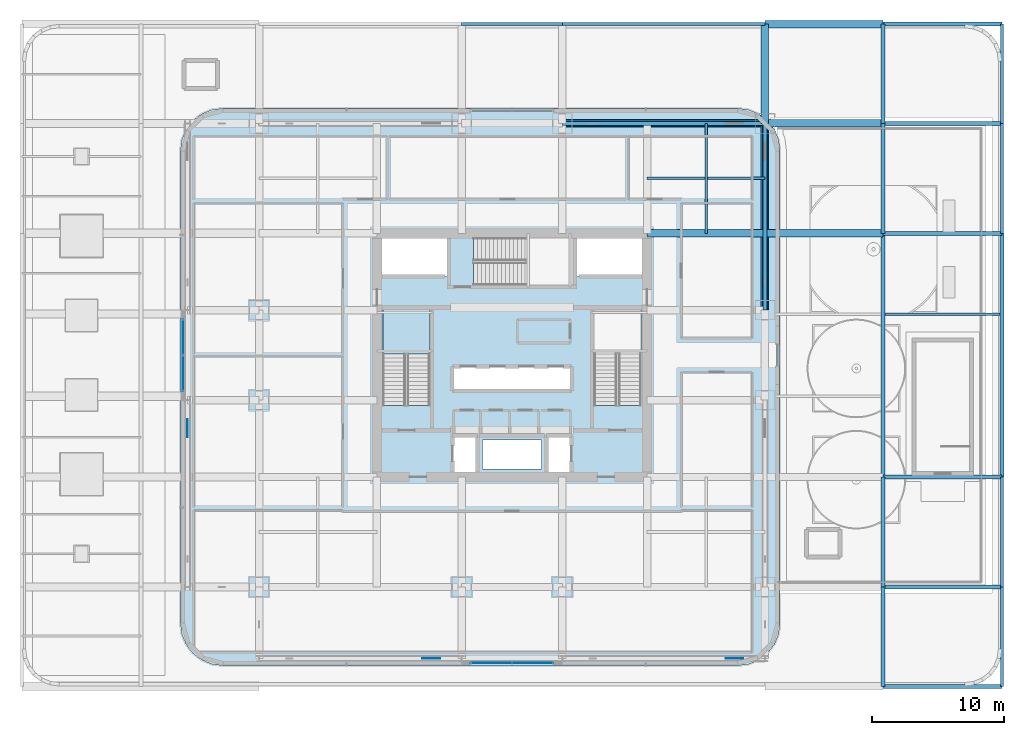
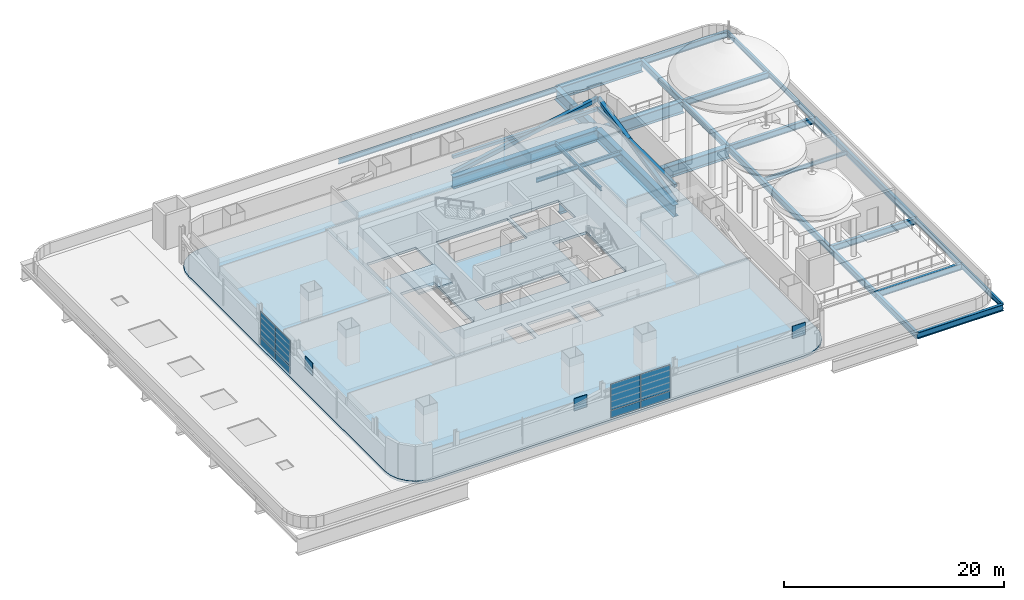
# One storey, part 9 of 30: 28 beams, 11 plates, 4 members, 2 slabs, 3 elements without a shape of their own.
"""IFC4 building model written with IfcOpenShell, lengths in metres."""

from ifc_helpers import new_model, si_unit, direction, frame, origin, origin_2d, place, context, subcontext, project, spatial, polyline, rectangle, hollow_rectangle, i_section, outline, extrude, material, layer, layer_set, material_profile, profile_set, type_object, element, aggregate, save


model = new_model("IFC4")

# Units and contexts
model_context = context("Model", 3, precision=1e-05, world=origin(), true_north=direction((0.0, 1.0)))
body_context = subcontext(model_context, "Body", "Model", "MODEL_VIEW")
ifc_project = project(units=[si_unit("LENGTHUNIT", "METRE"), si_unit("AREAUNIT", "SQUARE_METRE"), si_unit("VOLUMEUNIT", "CUBIC_METRE"), si_unit("PLANEANGLEUNIT", "RADIAN"), si_unit("MASSUNIT", "GRAM", prefix="KILO")], contexts=[model_context])

# Site, building, storey
site_placement = place(None, origin())
site = spatial("IfcSite", under=ifc_project, at=site_placement, CompositionType="ELEMENT")
building_placement = place(site_placement, origin())
building = spatial("IfcBuilding", under=site, at=building_placement, Name="Punatoya Terracotta Tower", CompositionType="ELEMENT")
storey_placement = place(building_placement, frame((0.0, 0.0, 28.199951171875)))
storey = spatial("IfcBuildingStorey", under=building, at=storey_placement, Name="L05", CompositionType="ELEMENT", Elevation=28.199951171875)

# Beams
ifc_material_1 = material(Name="Steel S355", Category="steel")
ifc_material_profile_1 = material_profile(ifc_material_1, i_section(OverallWidth=0.300048828125, OverallDepth=0.699951171875, WebThickness=0.01708984375, FlangeThickness=0.031982421875, FilletRadius=0.01806640625, at=origin_2d()))
ifc_profile_set_1 = profile_set([ifc_material_profile_1], Name="Steel S355")
beam_type_1 = type_object("IfcBeamType", Name="BM-PRI-700", PredefinedType="BEAM", material=ifc_profile_set_1)
for number, where, z_axis, x_axis, name in (
    (1, (28.0, -25.0, -0.6298828125), (1.0, 0.0, 0.0), (0.0, 1.0, 0.0), "BM-L05-AE2"),
    (2, (28.0, -17.5, -0.6298828125), (1.0, 0.0, 0.0), (0.0, 1.0, 0.0), "BM-L05-BE2"),
    (3, (28.0, -9.199951171875, -0.6298828125), (1.0, 0.0, 0.0), (0.0, 1.0, 0.0), "BM-L05-CE2"),
    (4, (28.0, 9.199951171875, -0.6298828125), (1.0, 0.0, 0.0), (0.0, 1.0, 0.0), "BM-L05-FE2"),
    (5, (28.0, 17.5, -0.6298828125), (1.0, 0.0, 0.0), (0.0, 1.0, 0.0), "BM-L05-GE2"),
    (6, (28.0, 25.0, -0.6298828125), (1.0, 0.0, 0.0), (0.0, 1.0, 0.0), "BM-L05-HE2"),
):
    element("IfcBeam", number, at=place(storey_placement, frame(where, z_axis=z_axis, x_axis=x_axis)), inside=storey, type_object=beam_type_1, Name=name, PredefinedType="BEAM", context=body_context, shape_type="SweptSolid", body=[
        extrude(i_section(OverallWidth=0.300048828125, OverallDepth=0.699951171875, WebThickness=0.01708984375, FlangeThickness=0.031982421875, FilletRadius=0.01806640625, at=origin_2d()), origin(), (0.0, 0.0, 1.0), 9.0),
    ])
beam_1_placement = place(storey_placement, frame((28.0, -25.0, -0.6298828125), z_axis=(0.0, 1.0, 0.0), x_axis=(-1.0, 0.0, 0.0)))
element("IfcBeam", 7, at=beam_1_placement, inside=storey, type_object=beam_type_1, Name="BM-L05-X28E--25", PredefinedType="BEAM", context=body_context, shape_type="SweptSolid", body=[
    extrude(i_section(OverallWidth=0.300048828125, OverallDepth=0.699951171875, WebThickness=0.01708984375, FlangeThickness=0.031982421875, FilletRadius=0.01806640625, at=origin_2d()), origin(), (0.0, 0.0, 1.0), 7.5),
])
beam_2_placement = place(storey_placement, frame((28.0, -17.5, -0.6298828125), z_axis=(0.0, 1.0, 0.0), x_axis=(-1.0, 0.0, 0.0)))
element("IfcBeam", 8, at=beam_2_placement, inside=storey, type_object=beam_type_1, Name="BM-L05-X28E--17", PredefinedType="BEAM", context=body_context, shape_type="SweptSolid", body=[
    extrude(i_section(OverallWidth=0.300048828125, OverallDepth=0.699951171875, WebThickness=0.01708984375, FlangeThickness=0.031982421875, FilletRadius=0.01806640625, at=origin_2d()), origin(), (0.0, 0.0, 1.0), 8.300048828125),
])
beam_3_placement = place(storey_placement, frame((28.0, -9.199951171875, -0.6298828125), z_axis=(0.0, 1.0, 0.0), x_axis=(-1.0, 0.0, 0.0)))
element("IfcBeam", 9, at=beam_3_placement, inside=storey, type_object=beam_type_1, Name="BM-L05-X28E--9", PredefinedType="BEAM", context=body_context, shape_type="SweptSolid", body=[
    extrude(i_section(OverallWidth=0.300048828125, OverallDepth=0.699951171875, WebThickness=0.01708984375, FlangeThickness=0.031982421875, FilletRadius=0.01806640625, at=origin_2d()), origin(), (0.0, 0.0, 1.0), 18.39990234375),
])
beam_4_placement = place(storey_placement, frame((28.0, 9.199951171875, -0.6298828125), z_axis=(0.0, 1.0, 0.0), x_axis=(-1.0, 0.0, 0.0)))
element("IfcBeam", 10, at=beam_4_placement, inside=storey, type_object=beam_type_1, Name="BM-L05-X28E-9", PredefinedType="BEAM", context=body_context, shape_type="SweptSolid", body=[
    extrude(i_section(OverallWidth=0.300048828125, OverallDepth=0.699951171875, WebThickness=0.01708984375, FlangeThickness=0.031982421875, FilletRadius=0.01806640625, at=origin_2d()), origin(), (0.0, 0.0, 1.0), 8.300048828125),
])
beam_5_placement = place(storey_placement, frame((28.0, 17.5, -0.6298828125), z_axis=(0.0, 1.0, 0.0), x_axis=(-1.0, 0.0, 0.0)))
element("IfcBeam", 11, at=beam_5_placement, inside=storey, type_object=beam_type_1, Name="BM-L05-X28E-17", PredefinedType="BEAM", context=body_context, shape_type="SweptSolid", body=[
    extrude(i_section(OverallWidth=0.300048828125, OverallDepth=0.699951171875, WebThickness=0.01708984375, FlangeThickness=0.031982421875, FilletRadius=0.01806640625, at=origin_2d()), origin(), (0.0, 0.0, 1.0), 7.5),
])
beam_6_placement = place(storey_placement, frame((37.0, -9.199951171875, -0.6298828125), z_axis=(0.0, 1.0, 0.0), x_axis=(-1.0, 0.0, 0.0)))
element("IfcBeam", 12, at=beam_6_placement, inside=storey, type_object=beam_type_1, Name="BM-L05-X37E--9", PredefinedType="BEAM", context=body_context, shape_type="SweptSolid", body=[
    extrude(i_section(OverallWidth=0.300048828125, OverallDepth=0.699951171875, WebThickness=0.01708984375, FlangeThickness=0.031982421875, FilletRadius=0.01806640625, at=origin_2d()), origin(), (0.0, 0.0, 1.0), 18.39990234375),
])
ifc_material_profile_2 = material_profile(ifc_material_1, i_section(OverallWidth=0.18994140625, OverallDepth=0.449951171875, WebThickness=0.009521484375, FlangeThickness=0.0146484375, FilletRadius=0.01806640625, at=origin_2d()))
ifc_profile_set_2 = profile_set([ifc_material_profile_2], Name="Steel S355")
beam_type_2 = type_object("IfcBeamType", Name="BM-SEC-450", PredefinedType="JOIST", material=ifc_profile_set_2)
beam_7_placement = place(storey_placement, frame((10.199951171875, 13.35009765625, -0.5048828125), z_axis=(1.0, 0.0, 0.0), x_axis=(0.0, 1.0, 0.0)))
element("IfcBeam", 13, at=beam_7_placement, inside=storey, type_object=beam_type_2, Name="BM-L05-SJN-2", PredefinedType="JOIST", context=body_context, shape_type="SweptSolid", body=[
    extrude(i_section(OverallWidth=0.18994140625, OverallDepth=0.449951171875, WebThickness=0.009521484375, FlangeThickness=0.0146484375, FilletRadius=0.01806640625, at=origin_2d()), origin(), (0.0, 0.0, 1.0), 8.900146484375),
])
beam_8_placement = place(storey_placement, frame((14.64990234375, 9.199951171875, -0.5048828125), z_axis=(0.0, 1.0, 0.0), x_axis=(-1.0, 0.0, 0.0)))
element("IfcBeam", 14, at=beam_8_placement, inside=storey, type_object=beam_type_2, Name="BM-L05-SJE-2", PredefinedType="JOIST", context=body_context, shape_type="SweptSolid", body=[
    extrude(i_section(OverallWidth=0.18994140625, OverallDepth=0.449951171875, WebThickness=0.009521484375, FlangeThickness=0.0146484375, FilletRadius=0.01806640625, at=origin_2d()), origin(), (0.0, 0.0, 1.0), 8.300048828125),
])
beam_9_placement = place(storey_placement, frame((28.14990234375, 3.10009765625, -0.5048828125), z_axis=(1.0, 0.0, 0.0), x_axis=(0.0, 1.0, 0.0)))
element("IfcBeam", 15, at=beam_9_placement, inside=storey, type_object=beam_type_2, Name="BM-L05-WNGJ-E2-31", PredefinedType="JOIST", context=body_context, shape_type="SweptSolid", body=[
    extrude(i_section(OverallWidth=0.18994140625, OverallDepth=0.449951171875, WebThickness=0.009521484375, FlangeThickness=0.0146484375, FilletRadius=0.01806640625, at=origin_2d()), origin(), (0.0, 0.0, 1.0), 8.7001953125),
])
ifc_material_profile_3 = material_profile(ifc_material_1, i_section(OverallWidth=0.2099609375, OverallDepth=0.550048828125, WebThickness=0.010986328125, FlangeThickness=0.01708984375, FilletRadius=0.01806640625, at=origin_2d()))
ifc_profile_set_3 = profile_set([ifc_material_profile_3], Name="Steel S355")
beam_type_3 = type_object("IfcBeamType", Name="BM-SPN-550", PredefinedType="SPANDREL", material=ifc_profile_set_3)
beam_10_placement = place(storey_placement, frame((37.0, -25.0, -0.554931640625), z_axis=(0.0, 1.0, 0.0), x_axis=(-1.0, 0.0, 0.0)))
element("IfcBeam", 16, at=beam_10_placement, inside=storey, type_object=beam_type_3, Name="BM-L05-X37E--25", PredefinedType="SPANDREL", context=body_context, shape_type="SweptSolid", body=[
    extrude(i_section(OverallWidth=0.2099609375, OverallDepth=0.550048828125, WebThickness=0.010986328125, FlangeThickness=0.01708984375, FilletRadius=0.01806640625, at=origin_2d()), origin(), (0.0, 0.0, 1.0), 7.5),
])
for number, where, z_axis, x_axis, name in (
    (17, (37.0, -17.5, -0.554931640625), (0.0, 1.0, 0.0), (-1.0, 0.0, 0.0), "BM-L05-X37E--17"),
    (18, (37.0, 9.199951171875, -0.554931640625), (0.0, 1.0, 0.0), (-1.0, 0.0, 0.0), "BM-L05-X37E-9"),
):
    element("IfcBeam", number, at=place(storey_placement, frame(where, z_axis=z_axis, x_axis=x_axis)), inside=storey, type_object=beam_type_3, Name=name, PredefinedType="SPANDREL", context=body_context, shape_type="SweptSolid", body=[
        extrude(i_section(OverallWidth=0.2099609375, OverallDepth=0.550048828125, WebThickness=0.010986328125, FlangeThickness=0.01708984375, FilletRadius=0.01806640625, at=origin_2d()), origin(), (0.0, 0.0, 1.0), 8.300048828125),
    ])
beam_11_placement = place(storey_placement, frame((37.0, 17.5, -0.554931640625), z_axis=(0.0, 1.0, 0.0), x_axis=(-1.0, 0.0, 0.0)))
element("IfcBeam", 19, at=beam_11_placement, inside=storey, type_object=beam_type_3, Name="BM-L05-X37E-17", PredefinedType="SPANDREL", context=body_context, shape_type="SweptSolid", body=[
    extrude(i_section(OverallWidth=0.2099609375, OverallDepth=0.550048828125, WebThickness=0.010986328125, FlangeThickness=0.01708984375, FilletRadius=0.01806640625, at=origin_2d()), origin(), (0.0, 0.0, 1.0), 7.5),
])
beam_12_placement = place(storey_placement, frame((-3.800048828125, 25.0, -0.554931640625), z_axis=(1.0, 0.0, 0.0), x_axis=(0.0, 1.0, 0.0)))
element("IfcBeam", 20, at=beam_12_placement, inside=storey, type_object=beam_type_3, Name="BM-L05-MIDH-2", PredefinedType="SPANDREL", context=body_context, shape_type="SweptSolid", body=[
    extrude(i_section(OverallWidth=0.2099609375, OverallDepth=0.550048828125, WebThickness=0.010986328125, FlangeThickness=0.01708984375, FilletRadius=0.01806640625, at=origin_2d()), origin(), (0.0, 0.0, 1.0), 7.60009765625),
])
beam_13_placement = place(storey_placement, frame((3.800048828125, 25.0, -0.554931640625), z_axis=(1.0, 0.0, 0.0), x_axis=(0.0, 1.0, 0.0)))
element("IfcBeam", 21, at=beam_13_placement, inside=storey, type_object=beam_type_3, Name="BM-L05-MIDH-3", PredefinedType="SPANDREL", context=body_context, shape_type="SweptSolid", body=[
    extrude(i_section(OverallWidth=0.2099609375, OverallDepth=0.550048828125, WebThickness=0.010986328125, FlangeThickness=0.01708984375, FilletRadius=0.01806640625, at=origin_2d()), origin(), (0.0, 0.0, 1.0), 15.300048828125),
])
ifc_material_2 = material(Name="Steel S460", Category="steel")
ifc_material_profile_4 = material_profile(ifc_material_2, i_section(OverallWidth=0.56005859375, OverallDepth=1.320068359375, WebThickness=0.035888671875, FlangeThickness=0.054931640625, FilletRadius=0.01806640625, at=origin_2d()))
ifc_profile_set_4 = profile_set([ifc_material_profile_4], Name="Steel S460")
beam_type_4 = type_object("IfcBeamType", Name="BM-TG-BLK", PredefinedType="BEAM", material=ifc_profile_set_4)
beam_14_placement = place(storey_placement, frame((3.800048828125, 17.5, -0.93994140625), z_axis=(1.0, 0.0, 0.0), x_axis=(0.0, 1.0, 0.0)))
element("IfcBeam", 22, at=beam_14_placement, inside=storey, type_object=beam_type_4, Name="BM-L05-RG-N3", PredefinedType="BEAM", context=body_context, shape_type="SweptSolid", body=[
    extrude(i_section(OverallWidth=0.56005859375, OverallDepth=1.320068359375, WebThickness=0.035888671875, FlangeThickness=0.054931640625, FilletRadius=0.01806640625, at=origin_2d()), origin(), (0.0, 0.0, 1.0), 15.300048828125),
])
beam_15_placement = place(storey_placement, frame((19.10009765625, 3.39990234375, -0.93994140625), z_axis=(0.0, 1.0, 0.0), x_axis=(-1.0, 0.0, 0.0)))
element("IfcBeam", 23, at=beam_15_placement, inside=storey, type_object=beam_type_4, Name="BM-L05-RG-E3", PredefinedType="BEAM", context=body_context, shape_type="SweptSolid", body=[
    extrude(i_section(OverallWidth=0.56005859375, OverallDepth=1.320068359375, WebThickness=0.035888671875, FlangeThickness=0.054931640625, FilletRadius=0.01806640625, at=origin_2d()), origin(), (0.0, 0.0, 1.0), 14.10009765625),
])
beam_16_placement = place(storey_placement, frame((10.199951171875, 9.199951171875, -0.93994140625), z_axis=(1.0, 0.0, 0.0), x_axis=(0.0, 1.0, 0.0)))
element("IfcBeam", 24, at=beam_16_placement, inside=storey, type_object=beam_type_4, Name="BM-L05-PR-EN", PredefinedType="BEAM", context=body_context, shape_type="SweptSolid", body=[
    extrude(i_section(OverallWidth=0.56005859375, OverallDepth=1.320068359375, WebThickness=0.035888671875, FlangeThickness=0.054931640625, FilletRadius=0.01806640625, at=origin_2d()), origin(), (0.0, 0.0, 1.0), 8.900146484375),
])
for number, where, z_axis, x_axis, name in (
    (25, (19.10009765625, 9.199951171875, -0.93994140625), (1.0, 0.0, 0.0), (0.0, 1.0, 0.0), "BM-L05-FE1"),
    (26, (19.10009765625, 17.5, -0.93994140625), (1.0, 0.0, 0.0), (0.0, 1.0, 0.0), "BM-L05-GE1"),
    (27, (19.10009765625, 25.0, -0.93994140625), (1.0, 0.0, 0.0), (0.0, 1.0, 0.0), "BM-L05-HE1"),
):
    element("IfcBeam", number, at=place(storey_placement, frame(where, z_axis=z_axis, x_axis=x_axis)), inside=storey, type_object=beam_type_4, Name=name, PredefinedType="BEAM", context=body_context, shape_type="SweptSolid", body=[
        extrude(i_section(OverallWidth=0.56005859375, OverallDepth=1.320068359375, WebThickness=0.035888671875, FlangeThickness=0.054931640625, FilletRadius=0.01806640625, at=origin_2d()), origin(), (0.0, 0.0, 1.0), 8.89990234375),
    ])
beam_17_placement = place(storey_placement, frame((19.10009765625, 17.5, -0.93994140625), z_axis=(0.0, 1.0, 0.0), x_axis=(-1.0, 0.0, 0.0)))
element("IfcBeam", 28, at=beam_17_placement, inside=storey, type_object=beam_type_4, Name="BM-L05-PRN-19", PredefinedType="BEAM", context=body_context, shape_type="SweptSolid", body=[
    extrude(i_section(OverallWidth=0.56005859375, OverallDepth=1.320068359375, WebThickness=0.035888671875, FlangeThickness=0.054931640625, FilletRadius=0.01806640625, at=origin_2d()), origin(), (0.0, 0.0, 1.0), 7.5),
])

# Members
ifc_material_profile_5 = material_profile(ifc_material_2, hollow_rectangle(XDim=0.320068359375, YDim=0.320068359375, WallThickness=0.01806640625, at=origin_2d()))
ifc_profile_set_5 = profile_set([ifc_material_profile_5], Name="Steel S460")
member_type_1 = type_object("IfcMemberType", Name="MEM-CHD-320", PredefinedType="CHORD", material=ifc_profile_set_5)
member_1_placement = place(storey_placement, frame((3.800048828125, 17.5, 1.85009765625), z_axis=(1.0, 0.0, 0.0), x_axis=(0.0, 1.0, 0.0)))
element("IfcMember", 29, at=member_1_placement, inside=storey, type_object=member_type_1, Name="L05 Exoskeleton Belt Truss Tie Chord N3", PredefinedType="CHORD", context=body_context, shape_type="SweptSolid", body=[
    extrude(hollow_rectangle(XDim=0.320068359375, YDim=0.320068359375, WallThickness=0.01806640625, at=origin_2d()), origin(), (0.0, 0.0, 1.0), 15.300048828125),
])
member_2_placement = place(storey_placement, frame((19.10009765625, 3.39990234375, 1.85009765625), z_axis=(0.0, 1.0, 0.0), x_axis=(-1.0, 0.0, 0.0)))
element("IfcMember", 30, at=member_2_placement, inside=storey, type_object=member_type_1, Name="L05 Exoskeleton Belt Truss Tie Chord E3", PredefinedType="CHORD", context=body_context, shape_type="SweptSolid", body=[
    extrude(hollow_rectangle(XDim=0.320068359375, YDim=0.320068359375, WallThickness=0.01806640625, at=origin_2d()), origin(), (0.0, 0.0, 1.0), 14.10009765625),
])
ifc_material_profile_6 = material_profile(ifc_material_2, hollow_rectangle(XDim=0.39990234375, YDim=0.39990234375, WallThickness=0.02197265625, at=origin_2d()))
ifc_profile_set_6 = profile_set([ifc_material_profile_6], Name="Steel S460")
member_type_2 = type_object("IfcMemberType", Name="MEM-EXO-400", PredefinedType="BRACE", material=ifc_profile_set_6)
member_3_placement = place(storey_placement, frame((3.800048828125, 17.5, 0.02001953125), z_axis=(0.981434908309, 0.0, 0.191795518072), x_axis=(0.0, 1.0, 0.0)))
element("IfcMember", 31, at=member_3_placement, inside=storey, type_object=member_type_2, Name="L05 Exoskeleton Belt Brace N3", PredefinedType="BRACE", context=body_context, shape_type="SweptSolid", body=[
    extrude(hollow_rectangle(XDim=0.39990234375, YDim=0.39990234375, WallThickness=0.02197265625, at=origin_2d()), origin(), (0.0, 0.0, 1.0), 15.58935546875),
])
member_4_placement = place(storey_placement, frame((19.10009765625, 3.39990234375, 0.02001953125), z_axis=(0.0, 0.978247355132, 0.207441828415), x_axis=(-1.0, 0.0, 0.0)))
element("IfcMember", 32, at=member_4_placement, inside=storey, type_object=member_type_2, Name="L05 Exoskeleton Belt Brace E3", PredefinedType="BRACE", context=body_context, shape_type="SweptSolid", body=[
    extrude(hollow_rectangle(XDim=0.39990234375, YDim=0.39990234375, WallThickness=0.02197265625, at=origin_2d()), origin(), (0.0, 0.0, 1.0), 14.41357421875),
])

# Curtain wall, plates
ifc_material_3 = material(Name="Aluminium 6063-T6 + Double Low-E Glass", Category="aluminium")
curtain_wall_type = type_object("IfcCurtainWallType", Name="CW-M1", PredefinedType="NOTDEFINED", material=ifc_material_3)
curtain_wall_1_placement = place(storey_placement, origin())
curtain_wall_1 = element("IfcCurtainWall", 33, at=curtain_wall_1_placement, inside=storey, type_object=curtain_wall_type, Name="L05 Curtain Wall CW-L05-S01-1", PredefinedType="NOTDEFINED")
ifc_material_4 = material(Name="Double Low-E Clear Vision Glass", Category="glass")
ifc_layer_1 = layer(ifc_material_4, 0.028076171875)
ifc_layer_set_1 = layer_set([ifc_layer_1], Name="Double Low-E Clear Vision Glass")
plate_type_1 = type_object("IfcPlateType", Name="PLT-GLZ-28", PredefinedType="CURTAIN_PANEL", material=ifc_layer_set_1)
plate_1_placement = place(storey_placement, frame((-1.574951171875, -23.25, 0.89013671875), z_axis=(0.0, 0.0, 1.0), x_axis=(1.0, 0.0, 0.0)))
plate_1 = element("IfcPlate", 34, at=plate_1_placement, type_object=plate_type_1, Name="CW-L05-S01-1 Vision Glass Panel 1", PredefinedType="CURTAIN_PANEL", context=body_context, shape_type="SweptSolid", body=[
    extrude(rectangle(XDim=3.06494140625, YDim=0.028076171875, at=origin_2d()), origin(), (0.0, 0.0, 1.0), 2.8798828125),
])
plate_2_placement = place(storey_placement, frame((1.574951171875, -23.25, 0.89013671875), z_axis=(0.0, 0.0, 1.0), x_axis=(1.0, 0.0, 0.0)))
plate_2 = element("IfcPlate", 35, at=plate_2_placement, type_object=plate_type_1, Name="CW-L05-S01-1 Vision Glass Panel 2", PredefinedType="CURTAIN_PANEL", context=body_context, shape_type="SweptSolid", body=[
    extrude(rectangle(XDim=3.06494140625, YDim=0.028076171875, at=origin_2d()), origin(), (0.0, 0.0, 1.0), 2.8798828125),
])

curtain_wall_2_placement = place(storey_placement, origin())
curtain_wall_2 = element("IfcCurtainWall", 36, at=curtain_wall_2_placement, inside=storey, type_object=curtain_wall_type, Name="L05 Curtain Wall CW-L05-W13-1", PredefinedType="NOTDEFINED")
plate_3_placement = place(storey_placement, frame((-24.85009765625, 1.375, 0.89013671875), z_axis=(0.0, 0.0, 1.0), x_axis=(0.0, -1.0, 0.0)))
plate_3 = element("IfcPlate", 37, at=plate_3_placement, type_object=plate_type_1, Name="CW-L05-W13-1 Vision Glass Panel 1", PredefinedType="CURTAIN_PANEL", context=body_context, shape_type="SweptSolid", body=[
    extrude(rectangle(XDim=2.6650390625, YDim=0.028076171875, at=origin_2d()), origin(), (0.0, 0.0, 1.0), 2.8798828125),
])
plate_4_placement = place(storey_placement, frame((-24.85009765625, -1.375, 0.89013671875), z_axis=(0.0, 0.0, 1.0), x_axis=(0.0, -1.0, 0.0)))
plate_4 = element("IfcPlate", 38, at=plate_4_placement, type_object=plate_type_1, Name="CW-L05-W13-1 Vision Glass Panel 2", PredefinedType="CURTAIN_PANEL", context=body_context, shape_type="SweptSolid", body=[
    extrude(rectangle(XDim=2.6650390625, YDim=0.028076171875, at=origin_2d()), origin(), (0.0, 0.0, 1.0), 2.8798828125),
])

# Plates
ifc_layer_2 = layer(ifc_material_2, 0.050048828125)
ifc_layer_set_2 = layer_set([ifc_layer_2], Name="Steel S460")
plate_type_2 = type_object("IfcPlateType", Name="PLT-GUS-50", PredefinedType="USERDEFINED", material=ifc_layer_set_2)
for number, where, z_axis, x_axis, name in (
    (39, (-6.094970703125, -22.89990234375, 1.886474609375), (0.0, 0.0, 1.0), (1.0, 0.0, 0.0), "L05 Exoskeleton Node Gusset Plate S1"),
    (40, (16.804931640625, -22.89990234375, 1.886474609375), (0.0, 0.0, 1.0), (1.0, 0.0, 0.0), "L05 Exoskeleton Node Gusset Plate S3"),
    (41, (-24.5, -5.514892578125, 1.886474609375), (0.0, 0.0, 1.0), (0.0, 1.0, 0.0), "L05 Exoskeleton Node Gusset Plate W1"),
):
    element("IfcPlate", number, at=place(storey_placement, frame(where, z_axis=z_axis, x_axis=x_axis)), inside=storey, type_object=plate_type_2, Name=name, ObjectType="GUSSET_PLATE", PredefinedType="USERDEFINED", context=body_context, shape_type="SweptSolid", body=[
        extrude(rectangle(XDim=1.35009765625, YDim=0.050048828125, at=origin_2d()), origin(), (0.0, 0.0, 1.0), 1.35009765625),
    ])

# Plate
ifc_material_5 = material(Name="Insulated Terracotta-Backed Spandrel Panel", Category="masonry")
ifc_layer_3 = layer(ifc_material_5, 0.044921875)
ifc_layer_set_3 = layer_set([ifc_layer_3], Name="Insulated Terracotta-Backed Spandrel Panel")
plate_type_3 = type_object("IfcPlateType", Name="PLT-SPN-45", PredefinedType="CURTAIN_PANEL", material=ifc_layer_set_3)
plate_5_placement = place(storey_placement, frame((-1.574951171875, -23.25, 0.0400390625), z_axis=(0.0, 0.0, 1.0), x_axis=(1.0, 0.0, 0.0)))
plate_5 = element("IfcPlate", 42, at=plate_5_placement, type_object=plate_type_3, Name="CW-L05-S01-1 Terracotta Spandrel Panel 1", PredefinedType="CURTAIN_PANEL", context=body_context, shape_type="SweptSolid", body=[
    extrude(rectangle(XDim=3.06494140625, YDim=0.044921875, at=origin_2d()), origin(), (0.0, 0.0, 1.0), 0.77490234375),
])

plate_6_placement = place(storey_placement, frame((1.574951171875, -23.25, 0.0400390625), z_axis=(0.0, 0.0, 1.0), x_axis=(1.0, 0.0, 0.0)))
plate_6 = element("IfcPlate", 43, at=plate_6_placement, type_object=plate_type_3, Name="CW-L05-S01-1 Terracotta Spandrel Panel 2", PredefinedType="CURTAIN_PANEL", context=body_context, shape_type="SweptSolid", body=[
    extrude(rectangle(XDim=3.06494140625, YDim=0.044921875, at=origin_2d()), origin(), (0.0, 0.0, 1.0), 0.77490234375),
])

aggregate(curtain_wall_1, [plate_5, plate_1, plate_6, plate_2])

plate_7_placement = place(storey_placement, frame((-24.85009765625, 1.375, 0.0400390625), z_axis=(0.0, 0.0, 1.0), x_axis=(0.0, -1.0, 0.0)))
plate_7 = element("IfcPlate", 44, at=plate_7_placement, type_object=plate_type_3, Name="CW-L05-W13-1 Terracotta Spandrel Panel 1", PredefinedType="CURTAIN_PANEL", context=body_context, shape_type="SweptSolid", body=[
    extrude(rectangle(XDim=2.6650390625, YDim=0.044921875, at=origin_2d()), origin(), (0.0, 0.0, 1.0), 0.77490234375),
])

plate_8_placement = place(storey_placement, frame((-24.85009765625, -1.375, 0.0400390625), z_axis=(0.0, 0.0, 1.0), x_axis=(0.0, -1.0, 0.0)))
plate_8 = element("IfcPlate", 45, at=plate_8_placement, type_object=plate_type_3, Name="CW-L05-W13-1 Terracotta Spandrel Panel 2", PredefinedType="CURTAIN_PANEL", context=body_context, shape_type="SweptSolid", body=[
    extrude(rectangle(XDim=2.6650390625, YDim=0.044921875, at=origin_2d()), origin(), (0.0, 0.0, 1.0), 0.77490234375),
])

aggregate(curtain_wall_2, [plate_7, plate_3, plate_8, plate_4])

# Stair, slab
ifc_material_6 = material(Name="Concrete C40/50", Category="concrete")
stair_type = type_object("IfcStairType", Name="STR-CORE-1550", PredefinedType="HALF_TURN_STAIR", material=ifc_material_6)
stair_placement = place(storey_placement, origin())
stair = element("IfcStair", 46, at=stair_placement, inside=storey, type_object=stair_type, Name="L05 Protected Core Exit Stair ST-1", PredefinedType="HALF_TURN_STAIR")
ifc_layer_4 = layer(ifc_material_6, 0.179931640625)
ifc_layer_set_4 = layer_set([ifc_layer_4], Name="Concrete C40/50")
slab_type_1 = type_object("IfcSlabType", Name="SLB-LND-180", PredefinedType="LANDING", material=ifc_layer_set_4)
slab_1_placement = place(storey_placement, frame((0.0, 0.0, 1.824951171875)))
slab_1 = element("IfcSlab", 47, at=slab_1_placement, type_object=slab_type_1, Name="ST-1 landing 1", PredefinedType="LANDING", context=body_context, shape_type="SweptSolid", body=[
    extrude(outline(polyline([(-6.199951171875, 0.10009765625), (-6.199951171875, 3.449951171875), (-9.75, 3.449951171875), (-9.75, 0.10009765625), (-6.199951171875, 0.10009765625)])), origin(), (0.0, 0.0, 1.0), 0.2001953125),
])
aggregate(stair, [slab_1])

# Slab
ifc_layer_5 = layer(ifc_material_6, 0.280029296875)
ifc_layer_set_5 = layer_set([ifc_layer_5], Name="Concrete C40/50")
slab_type_2 = type_object("IfcSlabType", Name="SLB-POD-280", PredefinedType="FLOOR", material=ifc_layer_set_5)
slab_2_placement = place(storey_placement, frame((0.0, 0.0, -0.280029296875)))
element("IfcSlab", 48, at=slab_2_placement, inside=storey, type_object=slab_type_2, Name="L05 Structural Floor Slab", PredefinedType="FLOOR", context=body_context, shape_type="SweptSolid", body=[
    extrude(outline(polyline([(-21.85009765625, -23.449951171875), (-22.67822265625, -23.341064453125), (-23.449951171875, -23.021240234375), (-24.11279296875, -22.5126953125), (-24.621337890625, -21.85009765625), (-24.94091796875, -21.078125), (-25.050048828125, -20.25), (-25.050048828125, 15.449951171875), (-24.94091796875, 16.2783203125), (-24.621337890625, 17.050048828125), (-24.11279296875, 17.712646484375), (-23.449951171875, 18.22119140625), (-22.67822265625, 18.541015625), (-21.85009765625, 18.64990234375), (17.050048828125, 18.64990234375), (17.878173828125, 18.541015625), (18.64990234375, 18.22119140625), (19.312744140625, 17.712646484375), (19.8212890625, 17.050048828125), (20.14111328125, 16.2783203125), (20.25, 15.449951171875), (20.25, -20.25), (20.14111328125, -21.078125), (19.8212890625, -21.85009765625), (19.312744140625, -22.5126953125), (18.64990234375, -23.021240234375), (17.878173828125, -23.341064453125), (17.050048828125, -23.449951171875), (-21.85009765625, -23.449951171875)]), holes=[polyline([(-2.6298828125, -8.820068359375), (-2.6298828125, -6.179931640625), (-4.469970703125, -6.179931640625), (-4.469970703125, -8.820068359375), (-2.6298828125, -8.820068359375)]), polyline([(0.02001953125, -8.594970703125), (2.219970703125, -8.594970703125), (2.219970703125, -6.405029296875), (0.02001953125, -6.405029296875), (-0.02001953125, -6.405029296875), (-2.219970703125, -6.405029296875), (-2.219970703125, -8.594970703125), (-0.02001953125, -8.594970703125), (0.02001953125, -8.594970703125)]), polyline([(-2.219970703125, -0.780029296875), (-4.419921875, -0.780029296875), (-4.419921875, -2.719970703125), (-2.219970703125, -2.719970703125), (-2.179931640625, -2.719970703125), (-0.02001953125, -2.719970703125), (0.02001953125, -2.719970703125), (2.179931640625, -2.719970703125), (2.219970703125, -2.719970703125), (4.419921875, -2.719970703125), (4.419921875, -0.780029296875), (2.219970703125, -0.780029296875), (2.179931640625, -0.780029296875), (0.02001953125, -0.780029296875), (-0.02001953125, -0.780029296875), (-2.179931640625, -0.780029296875), (-2.219970703125, -0.780029296875)]), polyline([(-6.199951171875, 3.449951171875), (-9.75, 3.449951171875), (-9.75, -3.79931640625), (-6.199951171875, -3.79931640625), (-6.199951171875, 3.449951171875)]), polyline([(4.60009765625, 5.300048828125), (4.60009765625, 8.85009765625), (-2.899169921875, 8.85009765625), (-2.899169921875, 5.300048828125), (4.60009765625, 5.300048828125)]), polyline([(-4.89990234375, 5.949951171875), (-4.89990234375, 9.050048828125), (-10.050048828125, 9.050048828125), (-10.050048828125, 5.949951171875), (-4.89990234375, 5.949951171875)]), polyline([(4.469970703125, -8.820068359375), (4.469970703125, -6.179931640625), (2.6298828125, -6.179931640625), (2.6298828125, -8.820068359375), (4.469970703125, -8.820068359375)]), polyline([(9.75, 3.449951171875), (6.199951171875, 3.449951171875), (6.199951171875, -3.79931640625), (9.75, -3.79931640625), (9.75, 3.449951171875)]), polyline([(10.050048828125, 5.949951171875), (10.050048828125, 9.050048828125), (4.89990234375, 9.050048828125), (4.89990234375, 5.949951171875), (10.050048828125, 5.949951171875)])]), origin(), (0.0, 0.0, 1.0), 0.280029296875),
])

save(model, "model.ifc")
